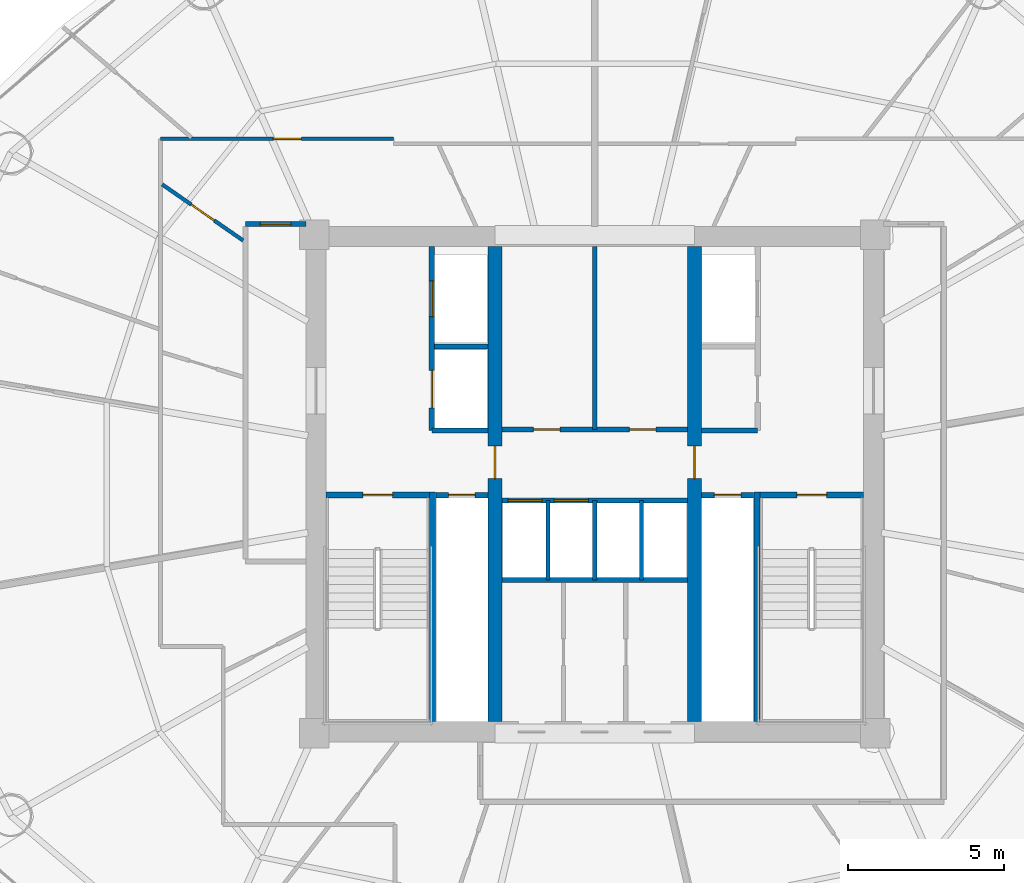
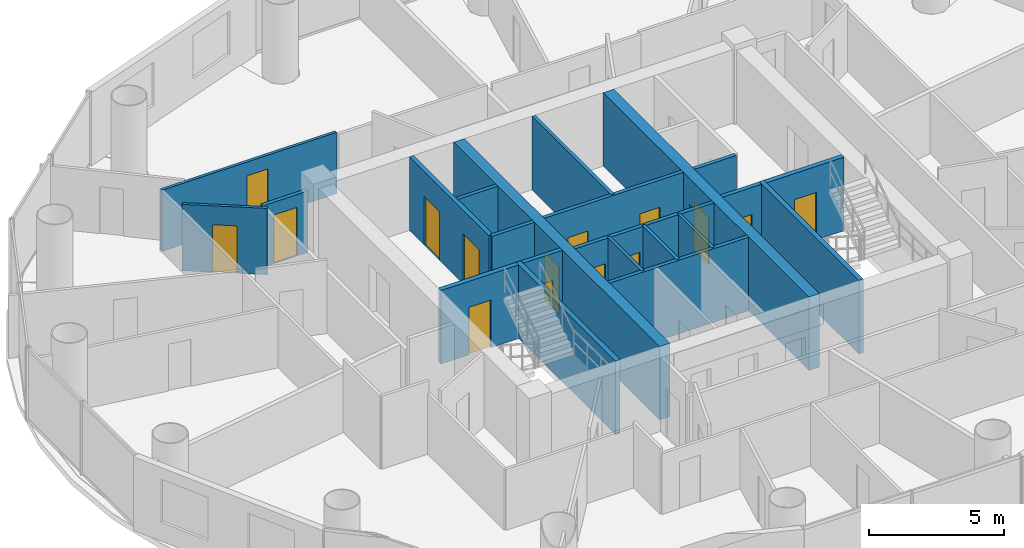
# One storey, part 21 of 26: 22 walls, 15 doors, 15 openings.
"""IFC4 building model written with IfcOpenShell, lengths in metres."""

import ifcopenshell
import ifcopenshell.guid

model = None  # the IFC model being written
_history = None  # IfcOwnerHistory: only IFC2X3 demands one
_inside = {}  # id of a spatial element -> (the spatial element, [elements in it])
_under = {}  # id of a project, library or spatial element -> (it, [spatial elements below it])
_declared = {}  # id of a project -> (the project, [libraries it declares])
_typed = {}  # id of a type object -> (the type object, [elements of that type])
_made_of = {}  # id of a material, layer set ... -> (it, [elements and type objects made of it])


def new_model(schema):
    """Start an empty IFC model of exactly this schema.

    Asked for "IFC4X3", IfcOpenShell would pick the latest addendum, in which some entities
    have other attributes; the version numbers below select the first issue.
    IFC2X3 requires an IfcOwnerHistory on every rooted entity: one is made here for all.
    """
    global model, _history
    if schema == "IFC4X3":
        model = ifcopenshell.file(schema_version=(4, 3, 0, 0))
    else:
        model = ifcopenshell.file(schema=schema)
    _inside.clear()
    _under.clear()
    _declared.clear()
    _typed.clear()
    _made_of.clear()
    _history = None
    if model.schema == "IFC2X3":
        org = make("IfcOrganization", Name="unknown")
        user = make(
            "IfcPersonAndOrganization",
            ThePerson=make("IfcPerson", FamilyName="unknown"),
            TheOrganization=org,
        )
        app = make(
            "IfcApplication",
            ApplicationDeveloper=org,
            Version="unknown",
            ApplicationFullName="unknown",
            ApplicationIdentifier="unknown",
        )
        _history = make(
            "IfcOwnerHistory",
            OwningUser=user,
            OwningApplication=app,
            ChangeAction="ADDED",
            CreationDate=0,
        )
    return model


def make(cls, **values):
    """One entity of the class cls with the attributes given. An attribute that is None is left unset."""
    return model.create_entity(
        cls, **{name: value for name, value in values.items() if value is not None}
    )


def rooted(cls, **values):
    """An entity with a GlobalId (a new one), such as an element, a storey or a relation."""
    return make(cls, GlobalId=ifcopenshell.guid.new(), OwnerHistory=_history, **values)


def si_unit(unit_type, name, prefix=None):
    """IfcSIUnit, for example si_unit("LENGTHUNIT", "METRE", prefix="MILLI")."""
    return make("IfcSIUnit", UnitType=unit_type, Prefix=prefix, Name=name)


def assignment(units):
    """IfcUnitAssignment: the units of a project."""
    return None if units is None else make("IfcUnitAssignment", Units=units)


def point(xyz):
    """IfcCartesianPoint."""
    return None if xyz is None else make("IfcCartesianPoint", Coordinates=xyz)


def direction(xyz):
    """IfcDirection."""
    return None if xyz is None else make("IfcDirection", DirectionRatios=xyz)


def frame(location, z_axis=None, x_axis=None):
    """IfcAxis2Placement3D, a coordinate frame: its origin and axes. An axis left out is left unset."""
    return make(
        "IfcAxis2Placement3D",
        Location=point(location),
        Axis=direction(z_axis),
        RefDirection=direction(x_axis),
    )


def frame_2d(location, x_axis=None):
    """IfcAxis2Placement2D, a coordinate frame in the plane: its origin and x axis."""
    return make(
        "IfcAxis2Placement2D", Location=point(location), RefDirection=direction(x_axis)
    )


def origin():
    """The frame at (0, 0, 0) with its axes left unset."""
    return frame((0.0, 0.0, 0.0))


def place(relative_to, where):
    """IfcLocalPlacement: puts the frame where relative to a parent placement (None: the world)."""
    return make(
        "IfcLocalPlacement", PlacementRelTo=relative_to, RelativePlacement=where
    )


def context(
    kind, dimensions, precision=None, world=None, true_north=None, identifier=None
):
    """IfcGeometricRepresentationContext, for example the 3D "Model" context."""
    return make(
        "IfcGeometricRepresentationContext",
        ContextIdentifier=identifier,
        ContextType=kind,
        CoordinateSpaceDimension=dimensions,
        Precision=precision,
        WorldCoordinateSystem=world,
        TrueNorth=true_north,
    )


def subcontext(parent, identifier, kind, view, scale=None):
    """IfcGeometricRepresentationSubContext, for example "Body" below "Model"."""
    return make(
        "IfcGeometricRepresentationSubContext",
        ContextIdentifier=identifier,
        ContextType=kind,
        ParentContext=parent,
        TargetScale=scale,
        TargetView=view,
    )


def project(units=None, contexts=None):
    """IfcProject with its units and contexts."""
    return rooted(
        "IfcProject",
        Name="project",
        RepresentationContexts=contexts,
        UnitsInContext=assignment(units),
    )


def spatial(cls, under=None, at=None, **own):
    """A site, building, storey or space (cls), placed at a placement, below another one or the project."""
    s = rooted(cls, ObjectPlacement=at, **own)
    if under is not None:
        _under.setdefault(under.id(), (under, []))[1].append(s)
    return s


def profile(cls, at=None, kind="AREA", **sizes):
    """A parametric profile (cls). Its sizes go by their IFC names, for example OverallWidth=200.0."""
    return make(cls, ProfileType=kind, Position=at, **sizes)


def rectangle(**sizes):
    """IfcRectangleProfileDef."""
    return profile("IfcRectangleProfileDef", **sizes)


def extrude(swept, where, along, depth):
    """IfcExtrudedAreaSolid: the profile swept, set in the frame where, extruded along a direction by depth."""
    return make(
        "IfcExtrudedAreaSolid",
        SweptArea=swept,
        Position=where,
        ExtrudedDirection=direction(along),
        Depth=depth,
    )


def shape(context_of_items, identifier, shape_type, items):
    """IfcShapeRepresentation: the items that make up one representation, for example the "Body"."""
    return make(
        "IfcShapeRepresentation",
        ContextOfItems=context_of_items,
        RepresentationIdentifier=identifier,
        RepresentationType=shape_type,
        Items=items,
    )


def source(mapping_origin, context_of_items, identifier, shape_type, items):
    """IfcRepresentationMap: a shape defined once, which mapped items show again and again."""
    return make(
        "IfcRepresentationMap",
        MappingOrigin=mapping_origin,
        MappedRepresentation=shape(context_of_items, identifier, shape_type, items),
    )


def transform(
    local_origin,
    x_axis=None,
    y_axis=None,
    z_axis=None,
    scale=None,
    scale2=None,
    scale3=None,
    uniform=True,
):
    """IfcCartesianTransformationOperator3D, or its non-uniform kind. x_axis, y_axis, z_axis: its Axis1, 2, 3."""
    if uniform:
        return make(
            "IfcCartesianTransformationOperator3D",
            Axis1=direction(x_axis),
            Axis2=direction(y_axis),
            LocalOrigin=point(local_origin),
            Scale=scale,
            Axis3=direction(z_axis),
        )
    return make(
        "IfcCartesianTransformationOperator3DnonUniform",
        Axis1=direction(x_axis),
        Axis2=direction(y_axis),
        LocalOrigin=point(local_origin),
        Scale=scale,
        Axis3=direction(z_axis),
        Scale2=scale2,
        Scale3=scale3,
    )


def mapped(mapping_source, mapping_target):
    """IfcMappedItem: shows the shape of a source again, moved by a transform."""
    return make(
        "IfcMappedItem", MappingSource=mapping_source, MappingTarget=mapping_target
    )


def material(Name=None, Category=None):
    """IfcMaterial."""
    return make("IfcMaterial", Name=Name, Category=Category)


def layer(
    of_material, thickness, ventilated=None, Name=None, Category=None, Priority=None
):
    """IfcMaterialLayer: one layer of a wall or slab, of a material (None: an air gap)."""
    return make(
        "IfcMaterialLayer",
        Material=of_material,
        LayerThickness=thickness,
        IsVentilated=ventilated,
        Name=Name,
        Category=Category,
        Priority=Priority,
    )


def layer_set(layers, Name=None):
    """IfcMaterialLayerSet."""
    return make("IfcMaterialLayerSet", MaterialLayers=layers, LayerSetName=Name)


def made_of(thing, what):
    """Note that an element or type object is made of a material, layer set ...; save() writes the relation."""
    if what is not None:
        _made_of.setdefault(what.id(), (what, []))[1].append(thing)
    return thing


def type_object(cls, material=None, **own):
    """A type object (cls), such as IfcWallType, which elements share."""
    return made_of(rooted(cls, **own), material)


def element(
    cls,
    number,
    at=None,
    inside=None,
    cuts=None,
    type_object=None,
    material=None,
    context=None,
    identifier="Body",
    shape_type=None,
    held_by="IfcProductDefinitionShape",
    body=None,
    shapes=None,
    **own,
):
    """One element of the class cls, such as IfcWall. Its Tag is "e" and its number.

    at: its placement. inside: the storey or other place that contains it. cuts: it is an
    opening in that element (IfcRelVoidsElement). A single representation is given by context,
    identifier, shape_type and body (its items); several are given by shapes. held_by: the class
    of the entity that holds the representations. save() writes the other relations.
    """
    e = rooted(cls, Tag="e%d" % number, ObjectPlacement=at, **own)
    if body is not None:
        shapes = [shape(context, identifier, shape_type, body)]
    if shapes is not None:
        e.Representation = make(held_by, Representations=shapes)
    if inside is not None:
        _inside.setdefault(inside.id(), (inside, []))[1].append(e)
    if cuts is not None:
        rooted(
            "IfcRelVoidsElement", RelatingBuildingElement=cuts, RelatedOpeningElement=e
        )
    if type_object is not None:
        _typed.setdefault(type_object.id(), (type_object, []))[1].append(e)
    return made_of(e, material)


def fill(opening, filler):
    """IfcRelFillsElement: the door or window that sits in an opening."""
    return rooted(
        "IfcRelFillsElement",
        RelatingOpeningElement=opening,
        RelatedBuildingElement=filler,
    )


def aggregate(whole, parts):
    """IfcRelAggregates: a whole, such as a stair, and the parts it consists of."""
    return rooted("IfcRelAggregates", RelatingObject=whole, RelatedObjects=parts)


def save(model, path):
    """Write the relations noted so far, then the file.

    IfcRelAggregates (storeys below a building ...), IfcRelContainedInSpatialStructure (elements
    in a storey), IfcRelDefinesByType, IfcRelAssociatesMaterial and IfcRelDeclares: one each for
    every whole, place, type object, material and project.
    """
    for whole, parts in _under.values():
        aggregate(whole, parts)
    for where, things in _inside.values():
        rooted(
            "IfcRelContainedInSpatialStructure",
            RelatedElements=things,
            RelatingStructure=where,
        )
    for kind, things in _typed.values():
        rooted("IfcRelDefinesByType", RelatedObjects=things, RelatingType=kind)
    for what, things in _made_of.values():
        rooted("IfcRelAssociatesMaterial", RelatedObjects=things, RelatingMaterial=what)
    for by, libraries in _declared.values():
        rooted("IfcRelDeclares", RelatingContext=by, RelatedDefinitions=libraries)
    model.write(path)


model = new_model("IFC4")

# Units and contexts
model_context = context("Model", 3, precision=1e-05, world=origin(), true_north=direction((-0.2419218956, 0.970295726276)))
body_context = subcontext(model_context, "Body", "Model", "MODEL_VIEW")
ifc_project = project(units=[si_unit("LENGTHUNIT", "METRE"), si_unit("AREAUNIT", "SQUARE_METRE"), si_unit("VOLUMEUNIT", "CUBIC_METRE"), si_unit("PLANEANGLEUNIT", "RADIAN"), si_unit("MASSUNIT", "GRAM", prefix="KILO")], contexts=[model_context])

# Site, building, storey
site_placement = place(None, origin())
site = spatial("IfcSite", under=ifc_project, at=site_placement, CompositionType="ELEMENT")
building_placement = place(site_placement, origin())
building = spatial("IfcBuilding", under=site, at=building_placement, Name="Cobrevalo Terracotta Tower", CompositionType="ELEMENT")
storey_placement = place(building_placement, frame((0.0, 0.0, 139.0)))
storey = spatial("IfcBuildingStorey", under=building, at=storey_placement, Name="L36", CompositionType="ELEMENT", Elevation=139.0)

# Walls
ifc_material_1 = material(Name="Gypsum board on steel stud", Category="steel")
ifc_layer_1 = layer(ifc_material_1, 0.159912109375)
ifc_layer_set_1 = layer_set([ifc_layer_1], Name="Gypsum board on steel stud")
wall_type_1 = type_object("IfcWallType", Name="Fire-rated corridor acoustic partition wall 160 mm", PredefinedType="PARTITIONING", material=ifc_layer_set_1)
wall_1_placement = place(storey_placement, frame((32.860107421875, 31.219970703125, 0.0), z_axis=(0.0, 0.0, 1.0), x_axis=(1.0, 0.0, 0.0)))
element("IfcWall", 1, at=wall_1_placement, inside=storey, type_object=wall_type_1, Name="L36 interior partition IW-L36-FF1-M", PredefinedType="PARTITIONING", context=body_context, shape_type="SweptSolid", body=[
    extrude(rectangle(XDim=1.71484375, YDim=0.159912109375, at=frame_2d((0.857421875, 0.0))), origin(), (0.0, 0.0, 1.0), 3.330078125),
])
for number, where, z_axis, x_axis, name in (
    (2, (32.77001953125, 28.52001953125, 0.0), (0.0, 0.0, 1.0), (1.0, 0.0, 0.0), "L36 interior partition IW-L36-FF1-S"),
    (3, (41.425048828125, 28.52001953125, 0.0), (0.0, 0.0, 1.0), (1.0, 0.0, 0.0), "L36 interior partition IW-L36-FF2-S"),
):
    element("IfcWall", number, at=place(storey_placement, frame(where, z_axis=z_axis, x_axis=x_axis)), inside=storey, type_object=wall_type_1, Name=name, PredefinedType="PARTITIONING", context=body_context, shape_type="SweptSolid", body=[
        extrude(rectangle(XDim=1.804931640625, YDim=0.159912109375, at=frame_2d((0.90234375, 0.0))), origin(), (0.0, 0.0, 1.0), 3.330078125),
    ])

# Wall, openings, doors
wall_2_placement = place(storey_placement, frame((35.02490234375, 28.56005859375, 0.0), z_axis=(0.0, 0.0, 1.0), x_axis=(1.0, 0.0, 0.0)))
wall_2 = element("IfcWall", 4, at=wall_2_placement, inside=storey, type_object=wall_type_1, Name="L36 interior partition IW-L36-LB-S", PredefinedType="PARTITIONING", context=body_context, shape_type="SweptSolid", body=[
    extrude(rectangle(XDim=5.9501953125, YDim=0.159912109375, at=frame_2d((2.97509765625, 0.0))), origin(), (0.0, 0.0, 1.0), 3.330078125),
])
opening_1_placement = place(wall_2_placement, frame((1.007568359375, 0.0, 0.0)))
opening_1 = element("IfcOpeningElement", 5, at=opening_1_placement, cuts=wall_2, Name="Opening ID-07", PredefinedType="OPENING", context=body_context, shape_type="SweptSolid", body=[
    extrude(rectangle(XDim=0.860107421875, YDim=2.10009765625, at=frame_2d((0.43017578125, 1.050048828125))), frame((0.0, 0.08984375, 0.0), z_axis=(0.0, -1.0, 0.0), x_axis=(1.0, 0.0, 0.0)), (0.0, 0.0, 1.0), 0.179931640625),
])
opening_2_placement = place(wall_2_placement, frame((4.08740234375, 0.0, 0.0)))
opening_2 = element("IfcOpeningElement", 6, at=opening_2_placement, cuts=wall_2, Name="Opening ID-22", PredefinedType="OPENING", context=body_context, shape_type="SweptSolid", body=[
    extrude(rectangle(XDim=0.85009765625, YDim=2.10009765625, at=frame_2d((0.425048828125, 1.050048828125))), frame((0.0, 0.08984375, 0.0), z_axis=(0.0, -1.0, 0.0), x_axis=(1.0, 0.0, 0.0)), (0.0, 0.0, 1.0), 0.179931640625),
])
ifc_material_2 = material(Name="Powder-coated steel", Category="steel")
door_type_1 = type_object("IfcDoorType", Name="Riser shaft & meter closet fire access door 850x2100 EI 60", OperationType="NOTDEFINED", PredefinedType="DOOR", material=ifc_material_2)
shared_shape_1 = source(origin(), body_context, "Body", "SweptSolid", [
    extrude(rectangle(XDim=0.85009765625, YDim=2.10009765625, at=frame_2d((0.425048828125, 1.050048828125))), frame((0.0, 0.02490234375, 0.0), z_axis=(0.0, -1.0, 0.0), x_axis=(1.0, 0.0, 0.0)), (0.0, 0.0, 1.0), 0.050048828125),
])
door_1_placement = place(opening_2_placement, origin())
door_1 = element("IfcDoor", 7, at=door_1_placement, inside=storey, type_object=door_type_1, Name="L36 core service door Floor Telecom and Metering Plant", OperationType="SINGLE_SWING_RIGHT", OverallHeight=2.10009765625, OverallWidth=0.85009765625, PredefinedType="DOOR", context=body_context, shape_type="MappedRepresentation", body=[
    mapped(shared_shape_1, transform((0.0, 0.0, 0.0), scale=1.0)),
])
fill(opening_2, door_1)
ifc_material_3 = material(Name="Fire-rated moisture-sealed timber", Category="wood")
door_type_2 = type_object("IfcDoorType", Name="Core & podium fire-rated accessible WC door 860x2100 EI 60", OperationType="NOTDEFINED", PredefinedType="DOOR", material=ifc_material_3)
shared_shape_2 = source(origin(), body_context, "Body", "SweptSolid", [
    extrude(rectangle(XDim=0.860107421875, YDim=2.10009765625, at=frame_2d((0.43017578125, 1.050048828125))), frame((0.0, 0.02490234375, 0.0), z_axis=(0.0, -1.0, 0.0), x_axis=(1.0, 0.0, 0.0)), (0.0, 0.0, 1.0), 0.050048828125),
])
door_2_placement = place(opening_1_placement, origin())
door_2 = element("IfcDoor", 8, at=door_2_placement, inside=storey, type_object=door_type_2, Name="L36 core service door Core Accessible Toilet WC", OperationType="SINGLE_SWING_LEFT", OverallHeight=2.10009765625, OverallWidth=0.860107421875, PredefinedType="DOOR", context=body_context, shape_type="MappedRepresentation", body=[
    mapped(shared_shape_2, transform((0.0, 0.0, 0.0), scale=1.0)),
])
fill(opening_1, door_2)

wall_3_placement = place(storey_placement, frame((35.02490234375, 26.280029296875, 0.0), z_axis=(0.0, 0.0, 1.0), x_axis=(1.0, 0.0, 0.0)))
wall_3 = element("IfcWall", 9, at=wall_3_placement, inside=storey, type_object=wall_type_1, Name="L36 interior partition IW-L36-MB-N", PredefinedType="PARTITIONING", context=body_context, shape_type="SweptSolid", body=[
    extrude(rectangle(XDim=5.9501953125, YDim=0.159912109375, at=frame_2d((2.97509765625, 0.0))), origin(), (0.0, 0.0, 1.0), 3.330078125),
])
opening_3_placement = place(wall_3_placement, frame((0.18994140625, 0.0, 0.0)))
opening_3 = element("IfcOpeningElement", 10, at=opening_3_placement, cuts=wall_3, Name="Opening LD-01", PredefinedType="OPENING", context=body_context, shape_type="SweptSolid", body=[
    extrude(rectangle(XDim=1.10009765625, YDim=2.199951171875, at=frame_2d((0.550048828125, 1.10009765625))), frame((0.0, 0.08984375, 0.0), z_axis=(0.0, -1.0, 0.0), x_axis=(1.0, 0.0, 0.0)), (0.0, 0.0, 1.0), 0.179931640625),
])
opening_4_placement = place(wall_3_placement, frame((1.669921875, 0.0, 0.0)))
opening_4 = element("IfcOpeningElement", 11, at=opening_4_placement, cuts=wall_3, Name="Opening LD-01", PredefinedType="OPENING", context=body_context, shape_type="SweptSolid", body=[
    extrude(rectangle(XDim=1.10009765625, YDim=2.199951171875, at=frame_2d((0.550048828125, 1.10009765625))), frame((0.0, 0.08984375, 0.0), z_axis=(0.0, -1.0, 0.0), x_axis=(1.0, 0.0, 0.0)), (0.0, 0.0, 1.0), 0.179931640625),
])
ifc_material_4 = material(Name="Brushed stainless steel", Category="steel")
door_type_3 = type_object("IfcDoorType", Name="Passenger lift landing bi-parting sliding door 1100x2200 EI 90", OperationType="DOUBLE_DOOR_SLIDING", PredefinedType="DOOR", material=ifc_material_4)
shared_shape_3 = source(origin(), body_context, "Body", "SweptSolid", [
    extrude(rectangle(XDim=1.10009765625, YDim=2.199951171875, at=frame_2d((0.550048828125, 1.10009765625))), frame((0.0, 0.02490234375, 0.0), z_axis=(0.0, -1.0, 0.0), x_axis=(1.0, 0.0, 0.0)), (0.0, 0.0, 1.0), 0.050048828125),
])
door_3_placement = place(opening_3_placement, origin())
door_3 = element("IfcDoor", 12, at=door_3_placement, inside=storey, type_object=door_type_3, Name="L36 lift landing door PL-M1", OperationType="DOUBLE_DOOR_SLIDING", OverallHeight=2.199951171875, OverallWidth=1.10009765625, PredefinedType="DOOR", context=body_context, shape_type="MappedRepresentation", body=[
    mapped(shared_shape_3, transform((0.0, 0.0, 0.0), scale=1.0)),
])
fill(opening_3, door_3)
door_4_placement = place(opening_4_placement, origin())
door_4 = element("IfcDoor", 13, at=door_4_placement, inside=storey, type_object=door_type_3, Name="L36 lift landing door PL-M2", OperationType="DOUBLE_DOOR_SLIDING", OverallHeight=2.199951171875, OverallWidth=1.10009765625, PredefinedType="DOOR", context=body_context, shape_type="MappedRepresentation", body=[
    mapped(shared_shape_3, transform((0.0, 0.0, 0.0), scale=1.0)),
])
fill(opening_4, door_4)

# Wall
wall_4_placement = place(storey_placement, frame((35.02490234375, 23.719970703125, 0.0), z_axis=(0.0, 0.0, 1.0), x_axis=(1.0, 0.0, 0.0)))
element("IfcWall", 14, at=wall_4_placement, inside=storey, type_object=wall_type_1, Name="L36 interior partition IW-L36-MB-S", PredefinedType="PARTITIONING", context=body_context, shape_type="SweptSolid", body=[
    extrude(rectangle(XDim=5.9501953125, YDim=0.159912109375, at=frame_2d((2.97509765625, 0.0))), origin(), (0.0, 0.0, 1.0), 3.330078125),
])

# Wall, opening, door
wall_5_placement = place(storey_placement, frame((26.794921875, 35.155029296875, 0.0), z_axis=(0.0, 0.0, 1.0), x_axis=(1.0, 0.0, 0.0)))
wall_5 = element("IfcWall", 15, at=wall_5_placement, inside=storey, type_object=wall_type_1, Name="L36 interior partition IW-L36-COR-WN-CAP", PredefinedType="PARTITIONING", context=body_context, shape_type="SweptSolid", body=[
    extrude(rectangle(XDim=1.93017578125, YDim=0.159912109375, at=frame_2d((0.965087890625, 0.0))), origin(), (0.0, 0.0, 1.0), 2.77587890625),
])
opening_5_placement = place(wall_5_placement, frame((0.47509765625, 0.0, 0.0)))
opening_5 = element("IfcOpeningElement", 16, at=opening_5_placement, cuts=wall_5, Name="Opening ID-05", PredefinedType="OPENING", context=body_context, shape_type="SweptSolid", body=[
    extrude(rectangle(XDim=0.97998046875, YDim=2.199951171875, at=frame_2d((0.489990234375, 1.10009765625))), frame((0.0, 0.08984375, 0.0), z_axis=(0.0, -1.0, 0.0), x_axis=(1.0, 0.0, 0.0)), (0.0, 0.0, 1.0), 0.179931640625),
])
ifc_material_5 = material(Name="Solid hardwood timber", Category="wood")
door_type_4 = type_object("IfcDoorType", Name="Residence entrance fire-rated acoustic timber door 980x2200 EI 60", OperationType="NOTDEFINED", PredefinedType="DOOR", material=ifc_material_5)
shared_shape_4 = source(origin(), body_context, "Body", "SweptSolid", [
    extrude(rectangle(XDim=0.97998046875, YDim=2.199951171875, at=frame_2d((0.489990234375, 1.10009765625))), frame((0.0, 0.02490234375, 0.0), z_axis=(0.0, -1.0, 0.0), x_axis=(1.0, 0.0, 0.0)), (0.0, 0.0, 1.0), 0.050048828125),
])
door_5_placement = place(opening_5_placement, origin())
door_5 = element("IfcDoor", 17, at=door_5_placement, inside=storey, type_object=door_type_4, Name="Flat L36B fire-rated apartment entrance door", OperationType="SINGLE_SWING_LEFT", OverallHeight=2.199951171875, OverallWidth=0.97998046875, PredefinedType="DOOR", context=body_context, shape_type="MappedRepresentation", body=[
    mapped(shared_shape_4, transform((0.0, 0.0, 0.0), scale=1.0)),
])
fill(opening_5, door_5)

ifc_layer_2 = layer(ifc_material_1, 0.179931640625)
ifc_layer_set_2 = layer_set([ifc_layer_2], Name="Gypsum board on steel stud")
wall_type_2 = type_object("IfcWallType", Name="Fire-rated shaft & lobby acoustic partition wall 180 mm", PredefinedType="PARTITIONING", material=ifc_layer_set_2)
wall_6_placement = place(storey_placement, frame((32.89990234375, 26.449951171875, 0.0), z_axis=(0.0, 0.0, 1.0), x_axis=(1.0, 0.0, 0.0)))
wall_6 = element("IfcWall", 18, at=wall_6_placement, inside=storey, type_object=wall_type_2, Name="L36 interior partition IW-L36-RSW-N", PredefinedType="PARTITIONING", context=body_context, shape_type="SweptSolid", body=[
    extrude(rectangle(XDim=1.675048828125, YDim=0.179931640625, at=frame_2d((0.83740234375, 0.0))), origin(), (0.0, 0.0, 1.0), 3.330078125),
])
opening_6_placement = place(wall_6_placement, frame((0.41259765625, 0.0, 0.0)))
opening_6 = element("IfcOpeningElement", 19, at=opening_6_placement, cuts=wall_6, Name="Opening ID-22", PredefinedType="OPENING", context=body_context, shape_type="SweptSolid", body=[
    extrude(rectangle(XDim=0.85009765625, YDim=2.10009765625, at=frame_2d((0.425048828125, 1.050048828125))), frame((0.0, 0.10009765625, 0.0), z_axis=(0.0, -1.0, 0.0), x_axis=(1.0, 0.0, 0.0)), (0.0, 0.0, 1.0), 0.199951171875),
])
door_6_placement = place(opening_6_placement, origin())
door_6 = element("IfcDoor", 20, at=door_6_placement, inside=storey, type_object=door_type_1, Name="L36 riser access door RSW", OperationType="SINGLE_SWING_LEFT", OverallHeight=2.10009765625, OverallWidth=0.85009765625, PredefinedType="DOOR", context=body_context, shape_type="MappedRepresentation", body=[
    mapped(shared_shape_1, transform((0.0, 0.0, 0.0), scale=1.0)),
])
fill(opening_6, door_6)

wall_7_placement = place(storey_placement, frame((41.425048828125, 26.449951171875, 0.0), z_axis=(0.0, 0.0, 1.0), x_axis=(1.0, 0.0, 0.0)))
wall_7 = element("IfcWall", 21, at=wall_7_placement, inside=storey, type_object=wall_type_2, Name="L36 interior partition IW-L36-RSE-N", PredefinedType="PARTITIONING", context=body_context, shape_type="SweptSolid", body=[
    extrude(rectangle(XDim=1.675048828125, YDim=0.179931640625, at=frame_2d((0.83740234375, 0.0))), origin(), (0.0, 0.0, 1.0), 3.330078125),
])
opening_7_placement = place(wall_7_placement, frame((0.41259765625, 0.0, 0.0)))
opening_7 = element("IfcOpeningElement", 22, at=opening_7_placement, cuts=wall_7, Name="Opening ID-22", PredefinedType="OPENING", context=body_context, shape_type="SweptSolid", body=[
    extrude(rectangle(XDim=0.85009765625, YDim=2.10009765625, at=frame_2d((0.425048828125, 1.050048828125))), frame((0.0, 0.10009765625, 0.0), z_axis=(0.0, -1.0, 0.0), x_axis=(1.0, 0.0, 0.0)), (0.0, 0.0, 1.0), 0.199951171875),
])
door_7_placement = place(opening_7_placement, origin())
door_7 = element("IfcDoor", 23, at=door_7_placement, inside=storey, type_object=door_type_1, Name="L36 riser access door RSE", OperationType="SINGLE_SWING_RIGHT", OverallHeight=2.10009765625, OverallWidth=0.85009765625, PredefinedType="DOOR", context=body_context, shape_type="MappedRepresentation", body=[
    mapped(shared_shape_1, transform((0.0, 0.0, 0.0), scale=1.0)),
])
fill(opening_7, door_7)

# Wall, openings, doors
wall_8_placement = place(storey_placement, frame((32.77001953125, 28.52001953125, 0.0), z_axis=(0.0, 0.0, 1.0), x_axis=(0.0, 1.0, 0.0)))
wall_8 = element("IfcWall", 24, at=wall_8_placement, inside=storey, type_object=wall_type_2, Name="L36 interior partition IW-L36-FF1-W", PredefinedType="PARTITIONING", context=body_context, shape_type="SweptSolid", body=[
    extrude(rectangle(XDim=5.905029296875, YDim=0.179931640625, at=frame_2d((2.95263671875, 0.0))), origin(), (0.0, 0.0, 1.0), 3.330078125),
])
opening_8_placement = place(wall_8_placement, frame((3.655029296875, 0.0, 0.0)))
opening_8 = element("IfcOpeningElement", 25, at=opening_8_placement, cuts=wall_8, Name="Opening LD-02", PredefinedType="OPENING", context=body_context, shape_type="SweptSolid", body=[
    extrude(rectangle(XDim=1.14990234375, YDim=2.199951171875, at=frame_2d((0.574951171875, 1.10009765625))), frame((0.0, 0.10009765625, 0.0), z_axis=(0.0, -1.0, 0.0), x_axis=(1.0, 0.0, 0.0)), (0.0, 0.0, 1.0), 0.199951171875),
])
opening_9_placement = place(wall_8_placement, frame((0.72998046875, 0.0, 0.0)))
opening_9 = element("IfcOpeningElement", 26, at=opening_9_placement, cuts=wall_8, Name="Opening LD-03", PredefinedType="OPENING", context=body_context, shape_type="SweptSolid", body=[
    extrude(rectangle(XDim=1.199951171875, YDim=2.25, at=frame_2d((0.60009765625, 1.125))), frame((0.0, 0.10009765625, 0.0), z_axis=(0.0, -1.0, 0.0), x_axis=(1.0, 0.0, 0.0)), (0.0, 0.0, 1.0), 0.199951171875),
])
door_type_5 = type_object("IfcDoorType", Name="Firefighting lift landing bi-parting sliding door 1150x2200 EI 120", OperationType="DOUBLE_DOOR_SLIDING", PredefinedType="DOOR", material=ifc_material_4)
shared_shape_5 = source(origin(), body_context, "Body", "SweptSolid", [
    extrude(rectangle(XDim=1.14990234375, YDim=2.199951171875, at=frame_2d((0.574951171875, 1.10009765625))), frame((0.0, 0.02490234375, 0.0), z_axis=(0.0, -1.0, 0.0), x_axis=(1.0, 0.0, 0.0)), (0.0, 0.0, 1.0), 0.050048828125),
])
door_8_placement = place(opening_8_placement, origin())
door_8 = element("IfcDoor", 27, at=door_8_placement, inside=storey, type_object=door_type_5, Name="L36 lift landing door FF-1", OperationType="DOUBLE_DOOR_SLIDING", OverallHeight=2.199951171875, OverallWidth=1.14990234375, PredefinedType="DOOR", context=body_context, shape_type="MappedRepresentation", body=[
    mapped(shared_shape_5, transform((0.0, 0.0, 0.0), scale=1.0)),
])
fill(opening_8, door_8)
door_type_6 = type_object("IfcDoorType", Name="Service lift landing bi-parting sliding door 1200x2250 EI 120", OperationType="DOUBLE_DOOR_SLIDING", PredefinedType="DOOR", material=ifc_material_4)
shared_shape_6 = source(origin(), body_context, "Body", "SweptSolid", [
    extrude(rectangle(XDim=1.199951171875, YDim=2.25, at=frame_2d((0.60009765625, 1.125))), frame((0.0, 0.02490234375, 0.0), z_axis=(0.0, -1.0, 0.0), x_axis=(1.0, 0.0, 0.0)), (0.0, 0.0, 1.0), 0.050048828125),
])
door_9_placement = place(opening_9_placement, origin())
door_9 = element("IfcDoor", 28, at=door_9_placement, inside=storey, type_object=door_type_6, Name="L36 lift landing door SV-1", OperationType="DOUBLE_DOOR_SLIDING", OverallHeight=2.25, OverallWidth=1.199951171875, PredefinedType="DOOR", context=body_context, shape_type="MappedRepresentation", body=[
    mapped(shared_shape_6, transform((0.0, 0.0, 0.0), scale=1.0)),
])
fill(opening_9, door_9)

# Walls
ifc_material_6 = material(Name="Autoclaved aerated concrete block", Category="concrete")
ifc_layer_3 = layer(ifc_material_6, 0.1201171875)
ifc_layer_set_3 = layer_set([ifc_layer_3], Name="Autoclaved aerated concrete block")
wall_type_3 = type_object("IfcWallType", Name="Fire-rated wet-room & core service partition 120 mm", PredefinedType="PARTITIONING", material=ifc_layer_set_3)
for number, where, z_axis, x_axis, name in (
    (29, (36.5, 23.719970703125, 0.0), (0.0, 0.0, 1.0), (0.0, 1.0, 0.0), "L36 interior partition IW-L36-MB-D1"),
    (30, (39.5, 23.719970703125, 0.0), (0.0, 0.0, 1.0), (0.0, 1.0, 0.0), "L36 interior partition IW-L36-MB-D3"),
):
    element("IfcWall", number, at=place(storey_placement, frame(where, z_axis=z_axis, x_axis=x_axis)), inside=storey, type_object=wall_type_3, Name=name, PredefinedType="PARTITIONING", context=body_context, shape_type="SweptSolid", body=[
        extrude(rectangle(XDim=2.56005859375, YDim=0.1201171875, at=frame_2d((1.280029296875, 0.0))), origin(), (0.0, 0.0, 1.0), 3.330078125),
    ])

# Wall, opening, door
ifc_material_7 = material(Name="Concrete C55", Category="concrete")
ifc_layer_4 = layer(ifc_material_7, 0.449951171875)
ifc_layer_set_4 = layer_set([ifc_layer_4], Name="Concrete C55")
wall_type_4 = type_object("IfcWallType", Name="Internal core shear web wall 450 mm Concrete C55", PredefinedType="SHEAR", material=ifc_layer_set_4)
wall_9_placement = place(storey_placement, frame((34.800048828125, 19.175048828125, 0.0), z_axis=(0.0, 0.0, 1.0), x_axis=(0.0, 1.0, 0.0)))
wall_9 = element("IfcWall", 31, at=wall_9_placement, inside=storey, type_object=wall_type_4, Name="L36 internal core shear wall WEB-W", PredefinedType="SHEAR", context=body_context, shape_type="SweptSolid", body=[
    extrude(rectangle(XDim=15.25, YDim=0.449951171875, at=frame_2d((7.625, 0.0))), origin(), (0.0, 0.0, 1.0), 3.330078125),
])
opening_10_placement = place(wall_9_placement, frame((7.800048828125, 0.0, 0.0)))
opening_10 = element("IfcOpeningElement", 32, at=opening_10_placement, cuts=wall_9, Name="Opening ID-11", PredefinedType="OPENING", context=body_context, shape_type="SweptSolid", body=[
    extrude(rectangle(XDim=1.050048828125, YDim=2.14990234375, at=frame_2d((0.52490234375, 1.074951171875))), frame((0.0, 0.23486328125, 0.0), z_axis=(0.0, -1.0, 0.0), x_axis=(1.0, 0.0, 0.0)), (0.0, 0.0, 1.0), 0.469970703125),
])
ifc_material_8 = material(Name="Galvanized fire-rated steel", Category="steel")
door_type_7 = type_object("IfcDoorType", Name="Core concourse cross fire door 1050x2150 EI 90", OperationType="NOTDEFINED", PredefinedType="DOOR", material=ifc_material_8)
shared_shape_7 = source(origin(), body_context, "Body", "SweptSolid", [
    extrude(rectangle(XDim=1.050048828125, YDim=2.14990234375, at=frame_2d((0.52490234375, 1.074951171875))), frame((0.0, 0.02490234375, 0.0), z_axis=(0.0, -1.0, 0.0), x_axis=(1.0, 0.0, 0.0)), (0.0, 0.0, 1.0), 0.050048828125),
])
door_10_placement = place(opening_10_placement, origin())
door_10 = element("IfcDoor", 33, at=door_10_placement, inside=storey, type_object=door_type_7, Name="L36 west core concourse cross door", OperationType="SINGLE_SWING_LEFT", OverallHeight=2.14990234375, OverallWidth=1.050048828125, PredefinedType="DOOR", context=body_context, shape_type="MappedRepresentation", body=[
    mapped(shared_shape_7, transform((0.0, 0.0, 0.0), scale=1.0)),
])
fill(opening_10, door_10)

wall_10_placement = place(storey_placement, frame((41.199951171875, 19.175048828125, 0.0), z_axis=(0.0, 0.0, 1.0), x_axis=(0.0, 1.0, 0.0)))
wall_10 = element("IfcWall", 34, at=wall_10_placement, inside=storey, type_object=wall_type_4, Name="L36 internal core shear wall WEB-E", PredefinedType="SHEAR", context=body_context, shape_type="SweptSolid", body=[
    extrude(rectangle(XDim=15.25, YDim=0.449951171875, at=frame_2d((7.625, 0.0))), origin(), (0.0, 0.0, 1.0), 3.330078125),
])
opening_11_placement = place(wall_10_placement, frame((7.800048828125, 0.0, 0.0)))
opening_11 = element("IfcOpeningElement", 35, at=opening_11_placement, cuts=wall_10, Name="Opening ID-11", PredefinedType="OPENING", context=body_context, shape_type="SweptSolid", body=[
    extrude(rectangle(XDim=1.050048828125, YDim=2.14990234375, at=frame_2d((0.52490234375, 1.074951171875))), frame((0.0, 0.23486328125, 0.0), z_axis=(0.0, -1.0, 0.0), x_axis=(1.0, 0.0, 0.0)), (0.0, 0.0, 1.0), 0.469970703125),
])
door_11_placement = place(opening_11_placement, frame((1.050048828125, 0.0, 0.0), z_axis=(0.0, 0.0, 1.0), x_axis=(-1.0, 0.0, 0.0)))
door_11 = element("IfcDoor", 36, at=door_11_placement, inside=storey, type_object=door_type_7, Name="L36 east core concourse cross door", OperationType="SINGLE_SWING_RIGHT", OverallHeight=2.14990234375, OverallWidth=1.050048828125, PredefinedType="DOOR", context=body_context, shape_type="MappedRepresentation", body=[
    mapped(shared_shape_7, transform((0.0, 0.0, 0.0), scale=1.0)),
])
fill(opening_11, door_11)

# Walls
ifc_layer_5 = layer(ifc_material_6, 0.139892578125)
ifc_layer_set_5 = layer_set([ifc_layer_5], Name="Autoclaved aerated concrete block")
wall_type_5 = type_object("IfcWallType", Name="Moisture-resistant wet-room & core service partition 140 mm", PredefinedType="PARTITIONING", material=ifc_layer_set_5)
wall_11_placement = place(storey_placement, frame((38.0, 28.56005859375, 0.0), z_axis=(0.0, 0.0, 1.0), x_axis=(0.0, 1.0, 0.0)))
element("IfcWall", 37, at=wall_11_placement, inside=storey, type_object=wall_type_5, Name="L36 interior partition IW-L36-KVN-1", PredefinedType="PARTITIONING", context=body_context, shape_type="SweptSolid", body=[
    extrude(rectangle(XDim=5.864990234375, YDim=0.139892578125, at=frame_2d((2.9326171875, 0.0))), origin(), (0.0, 0.0, 1.0), 3.330078125),
])
wall_12_placement = place(storey_placement, frame((38.0, 23.719970703125, 0.0), z_axis=(0.0, 0.0, 1.0), x_axis=(0.0, 1.0, 0.0)))
element("IfcWall", 38, at=wall_12_placement, inside=storey, type_object=wall_type_5, Name="L36 interior partition IW-L36-MB-D2", PredefinedType="PARTITIONING", context=body_context, shape_type="SweptSolid", body=[
    extrude(rectangle(XDim=2.56005859375, YDim=0.139892578125, at=frame_2d((1.280029296875, 0.0))), origin(), (0.0, 0.0, 1.0), 3.330078125),
])

# Wall, opening, door
ifc_layer_6 = layer(ifc_material_1, 0.1201171875)
ifc_layer_set_6 = layer_set([ifc_layer_6], Name="Gypsum board on steel stud")
wall_type_6 = type_object("IfcWallType", Name="Residential internal acoustic stud partition 120 mm", PredefinedType="PARTITIONING", material=ifc_layer_set_6)
wall_13_placement = place(storey_placement, frame((24.06494140625, 37.885009765625, 0.0), z_axis=(0.0, 0.0, 1.0), x_axis=(1.0, 0.0, 0.0)))
wall_13 = element("IfcWall", 39, at=wall_13_placement, inside=storey, type_object=wall_type_6, Name="L36 interior partition IW-L36-U2-RING1_0", PredefinedType="PARTITIONING", context=body_context, shape_type="SweptSolid", body=[
    extrude(rectangle(XDim=7.469970703125, YDim=0.1201171875, at=frame_2d((3.73486328125, 0.0))), origin(), (0.0, 0.0, 1.0), 2.77587890625),
])
opening_12_placement = place(wall_13_placement, frame((3.619873046875, 0.0, 0.0)))
opening_12 = element("IfcOpeningElement", 40, at=opening_12_placement, cuts=wall_13, Name="Opening ID-12", PredefinedType="OPENING", context=body_context, shape_type="SweptSolid", body=[
    extrude(rectangle(XDim=0.89990234375, YDim=2.14990234375, at=frame_2d((0.449951171875, 1.074951171875))), frame((0.0, 0.070068359375, 0.0), z_axis=(0.0, -1.0, 0.0), x_axis=(1.0, 0.0, 0.0)), (0.0, 0.0, 1.0), 0.14013671875),
])
ifc_material_9 = material(Name="Engineered timber", Category="wood")
door_type_8 = type_object("IfcDoorType", Name="Internal residence & suite timber door 900x2150", OperationType="NOTDEFINED", PredefinedType="DOOR", material=ifc_material_9)
shared_shape_8 = source(origin(), body_context, "Body", "SweptSolid", [
    extrude(rectangle(XDim=0.89990234375, YDim=2.14990234375, at=frame_2d((0.449951171875, 1.074951171875))), frame((0.0, 0.02490234375, 0.0), z_axis=(0.0, -1.0, 0.0), x_axis=(1.0, 0.0, 0.0)), (0.0, 0.0, 1.0), 0.050048828125),
])
door_12_placement = place(opening_12_placement, origin())
door_12 = element("IfcDoor", 41, at=door_12_placement, inside=storey, type_object=door_type_8, Name="Flat L36B Penthouse Living and Dining Room internal door", OperationType="SINGLE_SWING_LEFT", OverallHeight=2.14990234375, OverallWidth=0.89990234375, PredefinedType="DOOR", context=body_context, shape_type="MappedRepresentation", body=[
    mapped(shared_shape_8, transform((0.0, 0.0, 0.0), scale=1.0)),
])
fill(opening_12, door_12)

wall_14_placement = place(storey_placement, frame((26.715087890625, 34.62060546875, 0.0), z_axis=(0.0, 0.0, 1.0), x_axis=(-0.821950303779, 0.569559213881, 0.0)))
wall_14 = element("IfcWall", 42, at=wall_14_placement, inside=storey, type_object=wall_type_6, Name="L36 interior partition IW-L36-U2-IRAD2", PredefinedType="PARTITIONING", context=body_context, shape_type="SweptSolid", body=[
    extrude(rectangle(XDim=3.162109375, YDim=0.1201171875, at=frame_2d((1.5810546875, 0.0))), origin(), (0.0, 0.0, 1.0), 3.0048828125),
])
opening_13_placement = place(wall_14_placement, frame((1.131103515625, 0.0, 0.0)))
opening_13 = element("IfcOpeningElement", 43, at=opening_13_placement, cuts=wall_14, Name="Opening ID-12", PredefinedType="OPENING", context=body_context, shape_type="SweptSolid", body=[
    extrude(rectangle(XDim=0.89990234375, YDim=2.14990234375, at=frame_2d((0.449951171875, 1.074951171875))), frame((0.0, 0.070068359375, 0.0), z_axis=(0.0, -1.0, 0.0), x_axis=(1.0, 0.0, 0.0)), (0.0, 0.0, 1.0), 0.14013671875),
])
door_13_placement = place(opening_13_placement, origin())
door_13 = element("IfcDoor", 44, at=door_13_placement, inside=storey, type_object=door_type_8, Name="Flat L36B Kitchen internal door", OperationType="SINGLE_SWING_RIGHT", OverallHeight=2.14990234375, OverallWidth=0.89990234375, PredefinedType="DOOR", context=body_context, shape_type="MappedRepresentation", body=[
    mapped(shared_shape_8, transform((0.0, 0.0, 0.0), scale=1.0)),
])
fill(opening_13, door_13)

# Wall
ifc_material_10 = material(Name="Concrete C50", Category="concrete")
ifc_layer_7 = layer(ifc_material_10, 0.199951171875)
ifc_layer_set_7 = layer_set([ifc_layer_7], Name="Concrete C50")
wall_type_7 = type_object("IfcWallType", Name="Structural core & podium stair-shaft RC wall 200 mm Concrete C50", PredefinedType="SOLIDWALL", material=ifc_layer_set_7)
wall_15_placement = place(storey_placement, frame((32.794921875, 19.175048828125, 0.0), z_axis=(0.0, 0.0, 1.0), x_axis=(0.0, 1.0, 0.0)))
element("IfcWall", 45, at=wall_15_placement, inside=storey, type_object=wall_type_7, Name="L36 ST-1 east structural shaft wall", PredefinedType="SOLIDWALL", context=body_context, shape_type="SweptSolid", body=[
    extrude(rectangle(XDim=7.375, YDim=0.199951171875, at=frame_2d((3.6875, 0.0))), origin(), (0.0, 0.0, 1.0), 3.330078125),
])

# Wall, opening, door
wall_16_placement = place(storey_placement, frame((29.375, 26.449951171875, 0.0), z_axis=(0.0, 0.0, 1.0), x_axis=(1.0, 0.0, 0.0)))
wall_16 = element("IfcWall", 46, at=wall_16_placement, inside=storey, type_object=wall_type_7, Name="L36 ST-1 north structural shaft wall", PredefinedType="SOLIDWALL", context=body_context, shape_type="SweptSolid", body=[
    extrude(rectangle(XDim=3.320068359375, YDim=0.199951171875, at=frame_2d((1.66015625, 0.0))), origin(), (0.0, 0.0, 1.0), 3.330078125),
])
opening_14_placement = place(wall_16_placement, frame((1.18505859375, 0.0, 0.0)))
opening_14 = element("IfcOpeningElement", 47, at=opening_14_placement, cuts=wall_16, Name="Opening ID-04", PredefinedType="OPENING", context=body_context, shape_type="SweptSolid", body=[
    extrude(rectangle(XDim=0.949951171875, YDim=2.14990234375, at=frame_2d((0.47509765625, 1.074951171875))), frame((0.0, 0.10986328125, 0.0), z_axis=(0.0, -1.0, 0.0), x_axis=(1.0, 0.0, 0.0)), (0.0, 0.0, 1.0), 0.219970703125),
])
door_type_9 = type_object("IfcDoorType", Name="Stair & firefighting lobby fire door 950x2150 EI 90", OperationType="NOTDEFINED", PredefinedType="DOOR", material=ifc_material_8)
shared_shape_9 = source(origin(), body_context, "Body", "SweptSolid", [
    extrude(rectangle(XDim=0.949951171875, YDim=2.14990234375, at=frame_2d((0.47509765625, 1.074951171875))), frame((0.0, 0.02490234375, 0.0), z_axis=(0.0, -1.0, 0.0), x_axis=(1.0, 0.0, 0.0)), (0.0, 0.0, 1.0), 0.050048828125),
])
door_14_placement = place(opening_14_placement, origin())
door_14 = element("IfcDoor", 48, at=door_14_placement, inside=storey, type_object=door_type_9, Name="L36 protected stair ST1 fire door", OperationType="SINGLE_SWING_LEFT", OverallHeight=2.14990234375, OverallWidth=0.949951171875, PredefinedType="DOOR", context=body_context, shape_type="MappedRepresentation", body=[
    mapped(shared_shape_9, transform((0.0, 0.0, 0.0), scale=1.0)),
])
fill(opening_14, door_14)

# Wall
wall_17_placement = place(storey_placement, frame((43.205078125, 19.175048828125, 0.0), z_axis=(0.0, 0.0, 1.0), x_axis=(0.0, 1.0, 0.0)))
element("IfcWall", 49, at=wall_17_placement, inside=storey, type_object=wall_type_7, Name="L36 ST-2 west structural shaft wall", PredefinedType="SOLIDWALL", context=body_context, shape_type="SweptSolid", body=[
    extrude(rectangle(XDim=7.375, YDim=0.199951171875, at=frame_2d((3.6875, 0.0))), origin(), (0.0, 0.0, 1.0), 3.330078125),
])

# Wall, opening, door
wall_18_placement = place(storey_placement, frame((43.304931640625, 26.449951171875, 0.0), z_axis=(0.0, 0.0, 1.0), x_axis=(1.0, 0.0, 0.0)))
wall_18 = element("IfcWall", 50, at=wall_18_placement, inside=storey, type_object=wall_type_7, Name="L36 ST-2 north structural shaft wall", PredefinedType="SOLIDWALL", context=body_context, shape_type="SweptSolid", body=[
    extrude(rectangle(XDim=3.320068359375, YDim=0.199951171875, at=frame_2d((1.66015625, 0.0))), origin(), (0.0, 0.0, 1.0), 3.330078125),
])
opening_15_placement = place(wall_18_placement, frame((1.18505859375, 0.0, 0.0)))
opening_15 = element("IfcOpeningElement", 51, at=opening_15_placement, cuts=wall_18, Name="Opening ID-04", PredefinedType="OPENING", context=body_context, shape_type="SweptSolid", body=[
    extrude(rectangle(XDim=0.949951171875, YDim=2.14990234375, at=frame_2d((0.47509765625, 1.074951171875))), frame((0.0, 0.10986328125, 0.0), z_axis=(0.0, -1.0, 0.0), x_axis=(1.0, 0.0, 0.0)), (0.0, 0.0, 1.0), 0.219970703125),
])
door_15_placement = place(opening_15_placement, frame((0.949951171875, 0.0, 0.0), z_axis=(0.0, 0.0, 1.0), x_axis=(-1.0, 0.0, 0.0)))
door_15 = element("IfcDoor", 52, at=door_15_placement, inside=storey, type_object=door_type_9, Name="L36 protected stair ST2 fire door", OperationType="SINGLE_SWING_RIGHT", OverallHeight=2.14990234375, OverallWidth=0.949951171875, PredefinedType="DOOR", context=body_context, shape_type="MappedRepresentation", body=[
    mapped(shared_shape_9, transform((0.0, 0.0, 0.0), scale=1.0)),
])
fill(opening_15, door_15)

save(model, "model.ifc")
